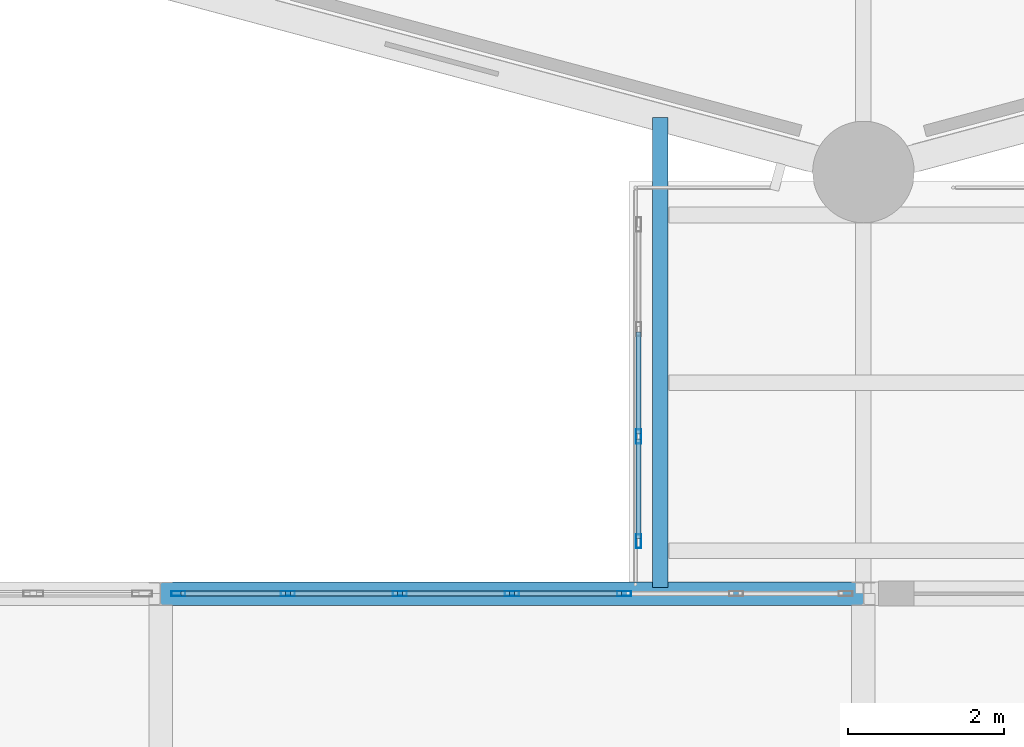
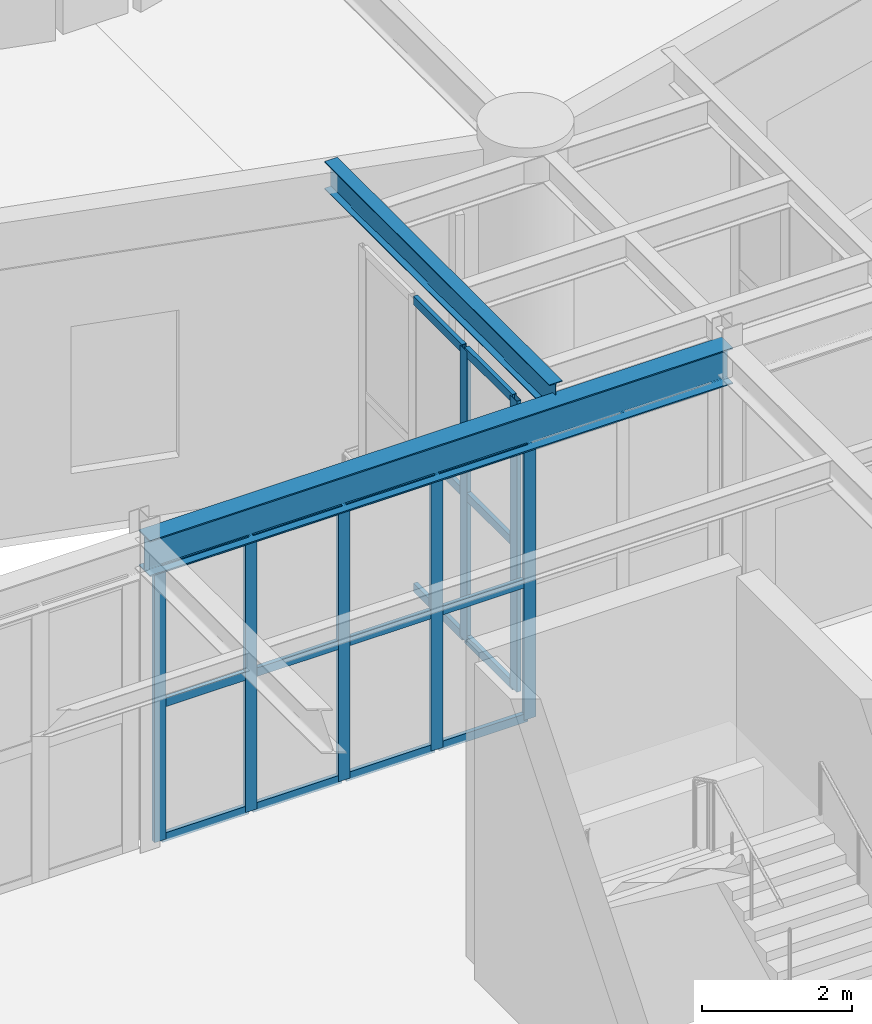
# One storey, part 42 of 155: 25 members, 2 beams, 2 elements without a shape of their own.
"""IFC4 building model written with IfcOpenShell, lengths in metres."""

from ifc_helpers import new_model, si_unit, direction, frame, origin, origin_2d, place, context, subcontext, project, spatial, hollow_rectangle, i_section, extrude, material, material_profile, profile_set, type_object, element, aggregate, save


model = new_model("IFC4")

# Units and contexts
model_context = context("Model", 3, precision=1e-05, world=origin(), true_north=direction((0.0, 1.0)))
body_context = subcontext(model_context, "Body", "Model", "MODEL_VIEW")
ifc_project = project(units=[si_unit("LENGTHUNIT", "METRE"), si_unit("AREAUNIT", "SQUARE_METRE"), si_unit("VOLUMEUNIT", "CUBIC_METRE"), si_unit("PLANEANGLEUNIT", "RADIAN"), si_unit("MASSUNIT", "GRAM", prefix="KILO")], contexts=[model_context])

# Site, building, storey
site_placement = place(None, origin())
site = spatial("IfcSite", under=ifc_project, at=site_placement, CompositionType="ELEMENT")
building_placement = place(site_placement, origin())
building = spatial("IfcBuilding", under=site, at=building_placement, Name="Haizhuo Lancet Aquarium", CompositionType="ELEMENT")
storey_placement = place(building_placement, frame((0.0, 0.0, 10.800048828125)))
storey = spatial("IfcBuildingStorey", under=building, at=storey_placement, Name="L02", CompositionType="ELEMENT", Elevation=10.800048828125)

# Beam
ifc_material_1 = material(Name="Steel S355", Category="steel")
ifc_material_profile_1 = material_profile(ifc_material_1, i_section(OverallWidth=0.300048828125, OverallDepth=0.587890625, WebThickness=0.011962890625, FlangeThickness=0.02001953125, FilletRadius=0.02587890625, at=origin_2d()), Name="HM 588x300x12x20")
ifc_profile_set_1 = profile_set([ifc_material_profile_1], Name="Steel S355")
beam_type_1 = type_object("IfcBeamType", Name="BM-ST-HM588", PredefinedType="BEAM", material=ifc_profile_set_1)
beam_1_placement = place(storey_placement, frame((-9.0, -27.0, 4.755859375), z_axis=(1.0, 0.0, 0.0), x_axis=(0.0, 1.0, 0.0)))
element("IfcBeam", 1, at=beam_1_placement, inside=storey, type_object=beam_type_1, Name="L02 V4 primary girder BM-L02-V4-013", PredefinedType="BEAM", context=body_context, shape_type="SweptSolid", body=[
    extrude(i_section(OverallWidth=0.300048828125, OverallDepth=0.587890625, WebThickness=0.011962890625, FlangeThickness=0.02001953125, FilletRadius=0.02587890625, at=origin_2d()), origin(), (0.0, 0.0, 1.0), 9.0),
])

# Curtain wall, members
ifc_material_2 = material(Name="Aluminium 6063-T6", Category="aluminium")
curtain_wall_type_1 = type_object("IfcCurtainWallType", Name="CWO-8610x4460", PredefinedType="NOTDEFINED", material=ifc_material_2)
curtain_wall_1_placement = place(storey_placement, origin())
curtain_wall_1 = element("IfcCurtainWall", 2, at=curtain_wall_1_placement, inside=storey, type_object=curtain_wall_type_1, Name="L02 curtain wall CW-V4-L02-103", PredefinedType="NOTDEFINED")
ifc_material_profile_2 = material_profile(ifc_material_2, hollow_rectangle(XDim=0.06494140625, YDim=0.179931640625, WallThickness=0.00390625, at=origin_2d()), Name="ALU-M 65x180x4")
ifc_profile_set_2 = profile_set([ifc_material_profile_2], Name="Aluminium 6063-T6")
member_type_1 = type_object("IfcMemberType", Name="CW-MUL-1", PredefinedType="MULLION", material=ifc_profile_set_2)
member_1_placement = place(storey_placement, frame((-8.77197265625, -27.0, 0.0), z_axis=(0.0, 0.0, 1.0), x_axis=(0.0, 1.0, 0.0)))
member_1 = element("IfcMember", 3, at=member_1_placement, type_object=member_type_1, Name="CWO-86x44 mullion 1", PredefinedType="MULLION", context=body_context, shape_type="SweptSolid", body=[
    extrude(hollow_rectangle(XDim=0.06494140625, YDim=0.179931640625, WallThickness=0.00390625, at=origin_2d()), origin(), (0.0, 0.0, 1.0), 4.4619140625),
])
member_2_placement = place(storey_placement, frame((-7.3701171875, -27.0, 0.0), z_axis=(0.0, 0.0, 1.0), x_axis=(0.0, 1.0, 0.0)))
member_2 = element("IfcMember", 4, at=member_2_placement, type_object=member_type_1, Name="CWO-86x44 mullion 2", PredefinedType="MULLION", context=body_context, shape_type="SweptSolid", body=[
    extrude(hollow_rectangle(XDim=0.06494140625, YDim=0.179931640625, WallThickness=0.00390625, at=origin_2d()), origin(), (0.0, 0.0, 1.0), 4.4619140625),
])
member_3_placement = place(storey_placement, frame((-5.93505859375, -27.0, 0.0), z_axis=(0.0, 0.0, 1.0), x_axis=(0.0, 1.0, 0.0)))
member_3 = element("IfcMember", 5, at=member_3_placement, type_object=member_type_1, Name="CWO-86x44 mullion 3", PredefinedType="MULLION", context=body_context, shape_type="SweptSolid", body=[
    extrude(hollow_rectangle(XDim=0.06494140625, YDim=0.179931640625, WallThickness=0.00390625, at=origin_2d()), origin(), (0.0, 0.0, 1.0), 4.4619140625),
])
member_4_placement = place(storey_placement, frame((-4.5, -27.0, 0.0), z_axis=(0.0, 0.0, 1.0), x_axis=(0.0, 1.0, 0.0)))
member_4 = element("IfcMember", 6, at=member_4_placement, type_object=member_type_1, Name="CWO-86x44 mullion 4", PredefinedType="MULLION", context=body_context, shape_type="SweptSolid", body=[
    extrude(hollow_rectangle(XDim=0.06494140625, YDim=0.179931640625, WallThickness=0.00390625, at=origin_2d()), origin(), (0.0, 0.0, 1.0), 4.4619140625),
])
member_5_placement = place(storey_placement, frame((-3.06494140625, -27.0, 0.0), z_axis=(0.0, 0.0, 1.0), x_axis=(0.0, 1.0, 0.0)))
member_5 = element("IfcMember", 7, at=member_5_placement, type_object=member_type_1, Name="CWO-86x44 mullion 5", PredefinedType="MULLION", context=body_context, shape_type="SweptSolid", body=[
    extrude(hollow_rectangle(XDim=0.06494140625, YDim=0.179931640625, WallThickness=0.00390625, at=origin_2d()), origin(), (0.0, 0.0, 1.0), 4.4619140625),
])

curtain_wall_type_2 = type_object("IfcCurtainWallType", Name="CWO-4120x4750", PredefinedType="NOTDEFINED", material=ifc_material_2)
curtain_wall_2_placement = place(storey_placement, origin())
curtain_wall_2 = element("IfcCurtainWall", 8, at=curtain_wall_2_placement, inside=storey, type_object=curtain_wall_type_2, Name="L02 curtain wall CW-SB-04-W1", PredefinedType="NOTDEFINED")
member_6_placement = place(storey_placement, frame((-2.8798828125, -26.327880859375, 0.0), z_axis=(0.0, 0.0, 1.0), x_axis=(-1.0, 0.0, 0.0)))
member_6 = element("IfcMember", 9, at=member_6_placement, type_object=member_type_1, Name="CWO-41x47 mullion 1", PredefinedType="MULLION", context=body_context, shape_type="SweptSolid", body=[
    extrude(hollow_rectangle(XDim=0.06494140625, YDim=0.179931640625, WallThickness=0.00390625, at=origin_2d()), origin(), (0.0, 0.0, 1.0), 4.75),
])
member_7_placement = place(storey_placement, frame((-2.8798828125, -24.987060546875, 0.0), z_axis=(0.0, 0.0, 1.0), x_axis=(-1.0, 0.0, 0.0)))
member_7 = element("IfcMember", 10, at=member_7_placement, type_object=member_type_1, Name="CWO-41x47 mullion 2", PredefinedType="MULLION", context=body_context, shape_type="SweptSolid", body=[
    extrude(hollow_rectangle(XDim=0.06494140625, YDim=0.179931640625, WallThickness=0.00390625, at=origin_2d()), origin(), (0.0, 0.0, 1.0), 4.75),
])

# Member
ifc_material_profile_3 = material_profile(ifc_material_2, hollow_rectangle(XDim=0.06494140625, YDim=0.139892578125, WallThickness=0.00390625, at=origin_2d()), Name="ALU-T 65x140x4")
ifc_profile_set_3 = profile_set([ifc_material_profile_3], Name="Aluminium 6063-T6")
member_type_2 = type_object("IfcMemberType", Name="CW-TRN-1", PredefinedType="NOTDEFINED", material=ifc_profile_set_3)
member_8_placement = place(storey_placement, frame((-8.739990234375, -27.0, 0.032958984375), z_axis=(1.0, 0.0, 0.0), x_axis=(0.0, 1.0, 0.0)))
member_8 = element("IfcMember", 11, at=member_8_placement, type_object=member_type_2, Name="CWO-86x44 transom 1.1", ObjectType="TRANSOM", PredefinedType="USERDEFINED", context=body_context, shape_type="SweptSolid", body=[
    extrude(hollow_rectangle(XDim=0.06494140625, YDim=0.139892578125, WallThickness=0.00390625, at=origin_2d()), origin(), (0.0, 0.0, 1.0), 1.337890625),
])

member_9_placement = place(storey_placement, frame((-8.739990234375, -27.0, 2.23095703125), z_axis=(1.0, 0.0, 0.0), x_axis=(0.0, 1.0, 0.0)))
member_9 = element("IfcMember", 12, at=member_9_placement, type_object=member_type_2, Name="CWO-86x44 transom 1.2", ObjectType="TRANSOM", PredefinedType="USERDEFINED", context=body_context, shape_type="SweptSolid", body=[
    extrude(hollow_rectangle(XDim=0.06494140625, YDim=0.139892578125, WallThickness=0.00390625, at=origin_2d()), origin(), (0.0, 0.0, 1.0), 1.337890625),
])

member_10_placement = place(storey_placement, frame((-8.739990234375, -27.0, 4.428955078125), z_axis=(1.0, 0.0, 0.0), x_axis=(0.0, 1.0, 0.0)))
member_10 = element("IfcMember", 13, at=member_10_placement, type_object=member_type_2, Name="CWO-86x44 transom 1.3", ObjectType="TRANSOM", PredefinedType="USERDEFINED", context=body_context, shape_type="SweptSolid", body=[
    extrude(hollow_rectangle(XDim=0.06494140625, YDim=0.139892578125, WallThickness=0.00390625, at=origin_2d()), origin(), (0.0, 0.0, 1.0), 1.337890625),
])

member_11_placement = place(storey_placement, frame((-7.337890625, -27.0, 0.032958984375), z_axis=(1.0, 0.0, 0.0), x_axis=(0.0, 1.0, 0.0)))
member_11 = element("IfcMember", 14, at=member_11_placement, type_object=member_type_2, Name="CWO-86x44 transom 2.1", ObjectType="TRANSOM", PredefinedType="USERDEFINED", context=body_context, shape_type="SweptSolid", body=[
    extrude(hollow_rectangle(XDim=0.06494140625, YDim=0.139892578125, WallThickness=0.00390625, at=origin_2d()), origin(), (0.0, 0.0, 1.0), 1.369873046875),
])

member_12_placement = place(storey_placement, frame((-7.337890625, -27.0, 2.23095703125), z_axis=(1.0, 0.0, 0.0), x_axis=(0.0, 1.0, 0.0)))
member_12 = element("IfcMember", 15, at=member_12_placement, type_object=member_type_2, Name="CWO-86x44 transom 2.2", ObjectType="TRANSOM", PredefinedType="USERDEFINED", context=body_context, shape_type="SweptSolid", body=[
    extrude(hollow_rectangle(XDim=0.06494140625, YDim=0.139892578125, WallThickness=0.00390625, at=origin_2d()), origin(), (0.0, 0.0, 1.0), 1.369873046875),
])

member_13_placement = place(storey_placement, frame((-7.337890625, -27.0, 4.428955078125), z_axis=(1.0, 0.0, 0.0), x_axis=(0.0, 1.0, 0.0)))
member_13 = element("IfcMember", 16, at=member_13_placement, type_object=member_type_2, Name="CWO-86x44 transom 2.3", ObjectType="TRANSOM", PredefinedType="USERDEFINED", context=body_context, shape_type="SweptSolid", body=[
    extrude(hollow_rectangle(XDim=0.06494140625, YDim=0.139892578125, WallThickness=0.00390625, at=origin_2d()), origin(), (0.0, 0.0, 1.0), 1.369873046875),
])

member_14_placement = place(storey_placement, frame((-5.902099609375, -27.0, 0.032958984375), z_axis=(1.0, 0.0, 0.0), x_axis=(0.0, 1.0, 0.0)))
member_14 = element("IfcMember", 17, at=member_14_placement, type_object=member_type_2, Name="CWO-86x44 transom 3.1", ObjectType="TRANSOM", PredefinedType="USERDEFINED", context=body_context, shape_type="SweptSolid", body=[
    extrude(hollow_rectangle(XDim=0.06494140625, YDim=0.139892578125, WallThickness=0.00390625, at=origin_2d()), origin(), (0.0, 0.0, 1.0), 1.3701171875),
])

member_15_placement = place(storey_placement, frame((-5.902099609375, -27.0, 2.23095703125), z_axis=(1.0, 0.0, 0.0), x_axis=(0.0, 1.0, 0.0)))
member_15 = element("IfcMember", 18, at=member_15_placement, type_object=member_type_2, Name="CWO-86x44 transom 3.2", ObjectType="TRANSOM", PredefinedType="USERDEFINED", context=body_context, shape_type="SweptSolid", body=[
    extrude(hollow_rectangle(XDim=0.06494140625, YDim=0.139892578125, WallThickness=0.00390625, at=origin_2d()), origin(), (0.0, 0.0, 1.0), 1.3701171875),
])

member_16_placement = place(storey_placement, frame((-5.902099609375, -27.0, 4.428955078125), z_axis=(1.0, 0.0, 0.0), x_axis=(0.0, 1.0, 0.0)))
member_16 = element("IfcMember", 19, at=member_16_placement, type_object=member_type_2, Name="CWO-86x44 transom 3.3", ObjectType="TRANSOM", PredefinedType="USERDEFINED", context=body_context, shape_type="SweptSolid", body=[
    extrude(hollow_rectangle(XDim=0.06494140625, YDim=0.139892578125, WallThickness=0.00390625, at=origin_2d()), origin(), (0.0, 0.0, 1.0), 1.3701171875),
])

member_17_placement = place(storey_placement, frame((-4.468017578125, -27.0, 0.032958984375), z_axis=(1.0, 0.0, 0.0), x_axis=(0.0, 1.0, 0.0)))
member_17 = element("IfcMember", 20, at=member_17_placement, type_object=member_type_2, Name="CWO-86x44 transom 4.1", ObjectType="TRANSOM", PredefinedType="USERDEFINED", context=body_context, shape_type="SweptSolid", body=[
    extrude(hollow_rectangle(XDim=0.06494140625, YDim=0.139892578125, WallThickness=0.00390625, at=origin_2d()), origin(), (0.0, 0.0, 1.0), 1.3701171875),
])

member_18_placement = place(storey_placement, frame((-4.468017578125, -27.0, 2.23095703125), z_axis=(1.0, 0.0, 0.0), x_axis=(0.0, 1.0, 0.0)))
member_18 = element("IfcMember", 21, at=member_18_placement, type_object=member_type_2, Name="CWO-86x44 transom 4.2", ObjectType="TRANSOM", PredefinedType="USERDEFINED", context=body_context, shape_type="SweptSolid", body=[
    extrude(hollow_rectangle(XDim=0.06494140625, YDim=0.139892578125, WallThickness=0.00390625, at=origin_2d()), origin(), (0.0, 0.0, 1.0), 1.3701171875),
])

member_19_placement = place(storey_placement, frame((-4.468017578125, -27.0, 4.428955078125), z_axis=(1.0, 0.0, 0.0), x_axis=(0.0, 1.0, 0.0)))
member_19 = element("IfcMember", 22, at=member_19_placement, type_object=member_type_2, Name="CWO-86x44 transom 4.3", ObjectType="TRANSOM", PredefinedType="USERDEFINED", context=body_context, shape_type="SweptSolid", body=[
    extrude(hollow_rectangle(XDim=0.06494140625, YDim=0.139892578125, WallThickness=0.00390625, at=origin_2d()), origin(), (0.0, 0.0, 1.0), 1.3701171875),
])

aggregate(curtain_wall_1, [member_1, member_2, member_3, member_4, member_5, member_8, member_9, member_10, member_11, member_12, member_13, member_14, member_15, member_16, member_17, member_18, member_19])

member_20_placement = place(storey_placement, frame((-2.8798828125, -26.294921875, 0.032958984375), z_axis=(0.0, 1.0, 0.0), x_axis=(-1.0, 0.0, 0.0)))
member_20 = element("IfcMember", 23, at=member_20_placement, type_object=member_type_2, Name="CWO-41x47 transom 1.1", ObjectType="TRANSOM", PredefinedType="USERDEFINED", context=body_context, shape_type="SweptSolid", body=[
    extrude(hollow_rectangle(XDim=0.06494140625, YDim=0.139892578125, WallThickness=0.00390625, at=origin_2d()), origin(), (0.0, 0.0, 1.0), 1.27587890625),
])

member_21_placement = place(storey_placement, frame((-2.8798828125, -26.294921875, 2.375), z_axis=(0.0, 1.0, 0.0), x_axis=(-1.0, 0.0, 0.0)))
member_21 = element("IfcMember", 24, at=member_21_placement, type_object=member_type_2, Name="CWO-41x47 transom 1.2", ObjectType="TRANSOM", PredefinedType="USERDEFINED", context=body_context, shape_type="SweptSolid", body=[
    extrude(hollow_rectangle(XDim=0.06494140625, YDim=0.139892578125, WallThickness=0.00390625, at=origin_2d()), origin(), (0.0, 0.0, 1.0), 1.27587890625),
])

member_22_placement = place(storey_placement, frame((-2.8798828125, -26.294921875, 4.718017578125), z_axis=(0.0, 1.0, 0.0), x_axis=(-1.0, 0.0, 0.0)))
member_22 = element("IfcMember", 25, at=member_22_placement, type_object=member_type_2, Name="CWO-41x47 transom 1.3", ObjectType="TRANSOM", PredefinedType="USERDEFINED", context=body_context, shape_type="SweptSolid", body=[
    extrude(hollow_rectangle(XDim=0.06494140625, YDim=0.139892578125, WallThickness=0.00390625, at=origin_2d()), origin(), (0.0, 0.0, 1.0), 1.27587890625),
])

member_23_placement = place(storey_placement, frame((-2.8798828125, -24.9541015625, 0.032958984375), z_axis=(0.0, 1.0, 0.0), x_axis=(-1.0, 0.0, 0.0)))
member_23 = element("IfcMember", 26, at=member_23_placement, type_object=member_type_2, Name="CWO-41x47 transom 2.1", ObjectType="TRANSOM", PredefinedType="USERDEFINED", context=body_context, shape_type="SweptSolid", body=[
    extrude(hollow_rectangle(XDim=0.06494140625, YDim=0.139892578125, WallThickness=0.00390625, at=origin_2d()), origin(), (0.0, 0.0, 1.0), 1.30810546875),
])

member_24_placement = place(storey_placement, frame((-2.8798828125, -24.9541015625, 2.375), z_axis=(0.0, 1.0, 0.0), x_axis=(-1.0, 0.0, 0.0)))
member_24 = element("IfcMember", 27, at=member_24_placement, type_object=member_type_2, Name="CWO-41x47 transom 2.2", ObjectType="TRANSOM", PredefinedType="USERDEFINED", context=body_context, shape_type="SweptSolid", body=[
    extrude(hollow_rectangle(XDim=0.06494140625, YDim=0.139892578125, WallThickness=0.00390625, at=origin_2d()), origin(), (0.0, 0.0, 1.0), 1.30810546875),
])

member_25_placement = place(storey_placement, frame((-2.8798828125, -24.9541015625, 4.718017578125), z_axis=(0.0, 1.0, 0.0), x_axis=(-1.0, 0.0, 0.0)))
member_25 = element("IfcMember", 28, at=member_25_placement, type_object=member_type_2, Name="CWO-41x47 transom 2.3", ObjectType="TRANSOM", PredefinedType="USERDEFINED", context=body_context, shape_type="SweptSolid", body=[
    extrude(hollow_rectangle(XDim=0.06494140625, YDim=0.139892578125, WallThickness=0.00390625, at=origin_2d()), origin(), (0.0, 0.0, 1.0), 1.30810546875),
])

aggregate(curtain_wall_2, [member_6, member_7, member_20, member_21, member_22, member_23, member_24, member_25])

# Beam
ifc_material_profile_4 = material_profile(ifc_material_1, i_section(OverallWidth=0.199951171875, OverallDepth=0.449951171875, WebThickness=0.009033203125, FlangeThickness=0.013916015625, FilletRadius=0.01806640625, at=origin_2d()), Name="HN 450x200x9x14")
ifc_profile_set_4 = profile_set([ifc_material_profile_4], Name="Steel S355")
beam_type_2 = type_object("IfcBeamType", Name="JST-ST-HN450", PredefinedType="JOIST", material=ifc_profile_set_4)
beam_2_placement = place(storey_placement, frame((-2.60009765625, -26.919921875, 5.02490234375), z_axis=(0.0, 1.0, 0.0), x_axis=(-1.0, 0.0, 0.0)))
element("IfcBeam", 29, at=beam_2_placement, inside=storey, type_object=beam_type_2, Name="Bridge roof edge beam SB-04 W", PredefinedType="JOIST", context=body_context, shape_type="SweptSolid", body=[
    extrude(i_section(OverallWidth=0.199951171875, OverallDepth=0.449951171875, WebThickness=0.009033203125, FlangeThickness=0.013916015625, FilletRadius=0.01806640625, at=origin_2d()), origin(), (0.0, 0.0, 1.0), 6.016845703125),
])

save(model, "model.ifc")
